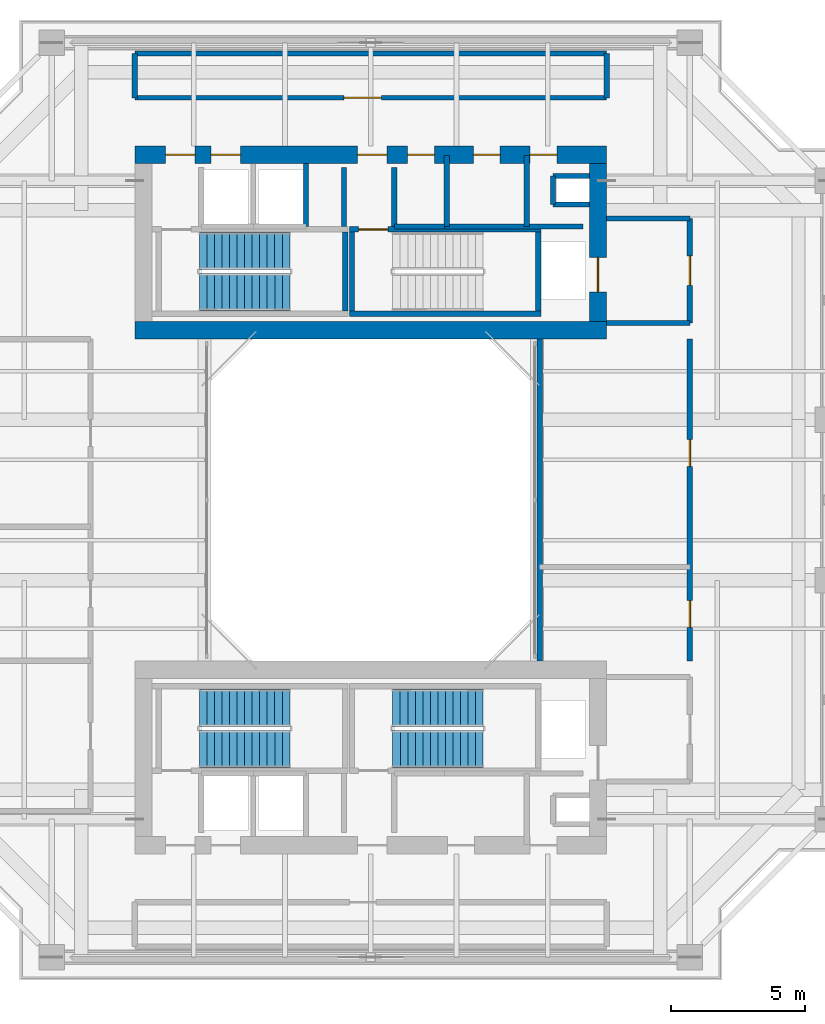
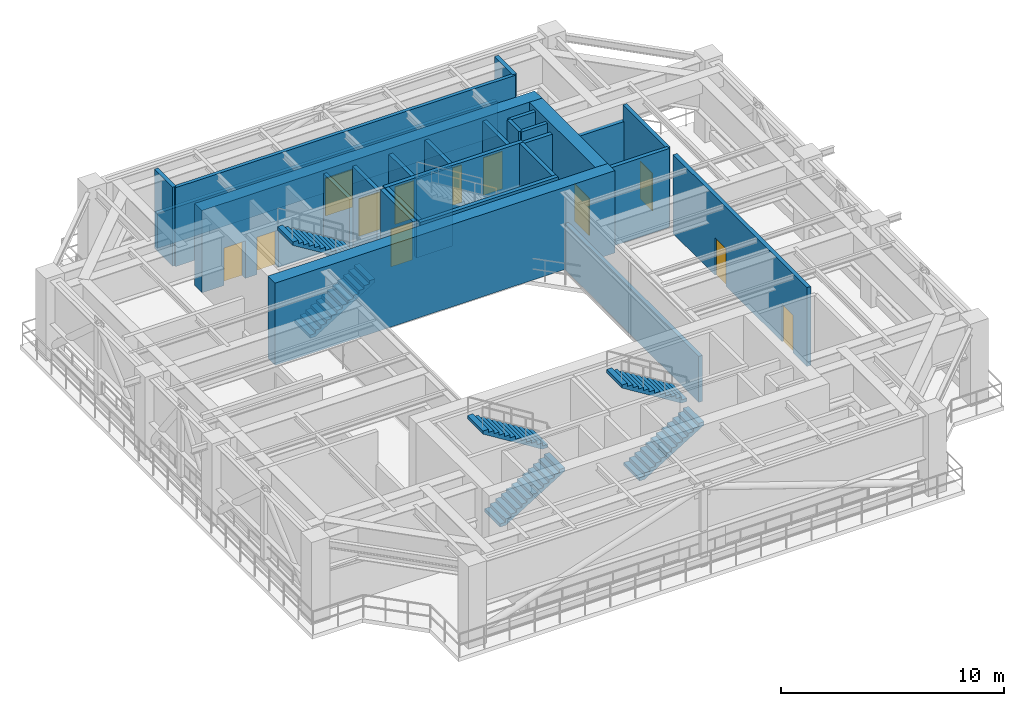
# One storey, part 7 of 11: 27 walls, 12 doors, 6 stair flights, 12 openings, 3 elements without a shape of their own.
"""IFC4 building model written with IfcOpenShell, lengths in metres."""

from ifc_helpers import new_model, si_unit, direction, frame, frame_2d, origin, place, context, subcontext, project, spatial, polyline, rectangle, outline, extrude, source, transform, mapped, material, layer, layer_set, type_object, element, fill, aggregate, save


model = new_model("IFC4")

# Units and contexts
model_context = context("Model", 3, precision=1e-05, world=origin(), true_north=direction((0.0, 1.0)))
body_context = subcontext(model_context, "Body", "Model", "MODEL_VIEW")
ifc_project = project(units=[si_unit("LENGTHUNIT", "METRE"), si_unit("AREAUNIT", "SQUARE_METRE"), si_unit("VOLUMEUNIT", "CUBIC_METRE"), si_unit("PLANEANGLEUNIT", "RADIAN"), si_unit("MASSUNIT", "GRAM", prefix="KILO"), si_unit("THERMODYNAMICTEMPERATUREUNIT", "KELVIN"), si_unit("POWERUNIT", "WATT")], contexts=[model_context])

# Site, building, storey
site_placement = place(None, origin())
site = spatial("IfcSite", under=ifc_project, at=site_placement, CompositionType="ELEMENT")
building_placement = place(site_placement, origin())
building = spatial("IfcBuilding", under=site, at=building_placement, Name="Qiaomeng Ring Towers", CompositionType="ELEMENT")
storey_placement = place(building_placement, frame((0.0, 0.0, 186.0)))
storey = spatial("IfcBuildingStorey", under=building, at=storey_placement, Name="L54", CompositionType="ELEMENT", Elevation=186.0)

# Walls
ifc_material_1 = material(Name="Autoclaved aerated concrete block", Category="concrete")
ifc_layer_1 = layer(ifc_material_1, 0.199951171875, Name="Autoclaved aerated concrete block")
ifc_layer_set_1 = layer_set([ifc_layer_1], Name="Autoclaved aerated concrete block")
wall_type_1 = type_object("IfcWallType", Name="ARC-WL-PW1", PredefinedType="PARTITIONING", material=ifc_layer_set_1)
wall_1_placement = place(storey_placement, frame((27.800048828125, 29.60009765625, 0.0), z_axis=(0.0, 0.0, 1.0), x_axis=(1.0, 0.0, 0.0)))
element("IfcWall", 1, at=wall_1_placement, inside=storey, type_object=wall_type_1, Name="L54 Interior Wall PW1", PredefinedType="PARTITIONING", context=body_context, shape_type="SweptSolid", body=[
    extrude(rectangle(XDim=3.099853515625, YDim=0.199951171875, at=frame_2d((1.5498046875, 0.0))), origin(), (0.0, 0.0, 1.0), 4.320068359375),
])
wall_2_placement = place(storey_placement, frame((27.800048828125, 33.5, 0.0), z_axis=(0.0, 0.0, 1.0), x_axis=(1.0, 0.0, 0.0)))
element("IfcWall", 2, at=wall_2_placement, inside=storey, type_object=wall_type_1, Name="L54 Interior Wall PW1", PredefinedType="PARTITIONING", context=body_context, shape_type="SweptSolid", body=[
    extrude(rectangle(XDim=3.099853515625, YDim=0.199951171875, at=frame_2d((1.5498046875, 0.0))), origin(), (0.0, 0.0, 1.0), 3.465087890625),
])

# Wall, opening, door
wall_3_placement = place(storey_placement, frame((30.89990234375, 29.60009765625, 0.0), z_axis=(0.0, 0.0, 1.0), x_axis=(0.0, 1.0, 0.0)))
wall_3 = element("IfcWall", 3, at=wall_3_placement, inside=storey, type_object=wall_type_1, Name="L54 Interior Wall PW1", PredefinedType="PARTITIONING", context=body_context, shape_type="SweptSolid", body=[
    extrude(rectangle(XDim=3.89990234375, YDim=0.199951171875, at=frame_2d((1.949951171875, 0.0))), origin(), (0.0, 0.0, 1.0), 4.320068359375),
])
opening_1_placement = place(wall_3_placement, frame((1.39990234375, 0.0, 0.0)))
opening_1 = element("IfcOpeningElement", 4, at=opening_1_placement, cuts=wall_3, Name="Opening FD3", PredefinedType="OPENING", context=body_context, shape_type="SweptSolid", body=[
    extrude(rectangle(XDim=1.10009765625, YDim=2.050048828125, at=frame_2d((0.550048828125, 1.02490234375))), frame((0.0, 0.10986328125, 0.0), z_axis=(0.0, -1.0, 0.0), x_axis=(1.0, 0.0, 0.0)), (0.0, 0.0, 1.0), 0.219970703125),
])
ifc_material_2 = material(Name="Galvanised steel", Category="steel")
door_type_1 = type_object("IfcDoorType", Name="ARC-DR-FD3", OperationType="NOTDEFINED", PredefinedType="DOOR", material=ifc_material_2)
shared_shape_1 = source(origin(), body_context, "Body", "SweptSolid", [
    extrude(rectangle(XDim=1.10009765625, YDim=2.050048828125, at=frame_2d((0.550048828125, 1.02490234375))), frame((0.0, 0.02490234375, 0.0), z_axis=(0.0, -1.0, 0.0), x_axis=(1.0, 0.0, 0.0)), (0.0, 0.0, 1.0), 0.050048828125),
])
door_1_placement = place(opening_1_placement, origin())
door_1 = element("IfcDoor", 5, at=door_1_placement, inside=storey, type_object=door_type_1, Name="L54 North FF Lobby Door", OperationType="SINGLE_SWING_LEFT", OverallHeight=2.050048828125, OverallWidth=1.10009765625, PredefinedType="DOOR", context=body_context, shape_type="MappedRepresentation", body=[
    mapped(shared_shape_1, transform((0.0, 0.0, 0.0), x_axis=(1.0, 0.0, 0.0), y_axis=(0.0, 1.0, 0.0), z_axis=(0.0, 0.0, 1.0), scale=1.0)),
])
fill(opening_1, door_1)

# Walls
for number, where, z_axis, x_axis, name in (
    (6, (18.0, 33.18994140625, 0.0), (0.0, 0.0, 1.0), (0.0, 1.0, 0.0), "L54 Interior Wall PW1"),
    (7, (19.8798828125, 33.18994140625, 0.0), (0.0, 0.0, 1.0), (0.0, 1.0, 0.0), "L54 Interior Wall PW1"),
):
    element("IfcWall", number, at=place(storey_placement, frame(where, z_axis=z_axis, x_axis=x_axis)), inside=storey, type_object=wall_type_1, Name=name, PredefinedType="PARTITIONING", context=body_context, shape_type="SweptSolid", body=[
        extrude(rectangle(XDim=2.2099609375, YDim=0.199951171875, at=frame_2d((1.10498046875, 0.0))), origin(), (0.0, 0.0, 1.0), 4.320068359375),
    ])
wall_4_placement = place(storey_placement, frame((24.820068359375, 33.199951171875, 0.0), z_axis=(0.0, 0.0, 1.0), x_axis=(0.0, 1.0, 0.0)))
element("IfcWall", 8, at=wall_4_placement, inside=storey, type_object=wall_type_1, Name="L54 Interior Wall PW1", PredefinedType="PARTITIONING", context=body_context, shape_type="SweptSolid", body=[
    extrude(rectangle(XDim=2.650146484375, YDim=0.199951171875, at=frame_2d((1.3251953125, 0.0))), origin(), (0.0, 0.0, 1.0), 4.320068359375),
])
wall_5_placement = place(storey_placement, frame((19.8798828125, 33.199951171875, 0.0), z_axis=(0.0, 0.0, 1.0), x_axis=(1.0, 0.0, 0.0)))
element("IfcWall", 9, at=wall_5_placement, inside=storey, type_object=wall_type_1, Name="L54 Interior Wall PW1", PredefinedType="PARTITIONING", context=body_context, shape_type="SweptSolid", body=[
    extrude(rectangle(XDim=1.8701171875, YDim=0.199951171875, at=frame_2d((0.93505859375, 0.0))), origin(), (0.0, 0.0, 1.0), 4.320068359375),
])
wall_6_placement = place(storey_placement, frame((21.830078125, 33.199951171875, 0.0), z_axis=(0.0, 0.0, 1.0), x_axis=(0.0, 1.0, 0.0)))
element("IfcWall", 10, at=wall_6_placement, inside=storey, type_object=wall_type_1, Name="L54 Interior Wall PW1", PredefinedType="PARTITIONING", context=body_context, shape_type="SweptSolid", body=[
    extrude(rectangle(XDim=2.650146484375, YDim=0.199951171875, at=frame_2d((1.3251953125, 0.0))), origin(), (0.0, 0.0, 1.0), 4.320068359375),
])
wall_7_placement = place(storey_placement, frame((21.75, 33.199951171875, 0.0), z_axis=(0.0, 0.0, 1.0), x_axis=(1.0, 0.0, 0.0)))
element("IfcWall", 11, at=wall_7_placement, inside=storey, type_object=wall_type_1, Name="L54 Interior Wall PW1", PredefinedType="PARTITIONING", context=body_context, shape_type="SweptSolid", body=[
    extrude(rectangle(XDim=5.169921875, YDim=0.199951171875, at=frame_2d((2.5849609375, 0.0))), origin(), (0.0, 0.0, 1.0), 4.320068359375),
])
for number, where, z_axis, x_axis, name in (
    (12, (10.199951171875, 38.0, 0.0), (0.0, 0.0, 1.0), (0.0, 1.0, 0.0), "L54 Interior Wall PW1"),
    (13, (27.800048828125, 38.0, 0.0), (0.0, 0.0, 1.0), (0.0, 1.0, 0.0), "L54 Interior Wall PW1"),
):
    element("IfcWall", number, at=place(storey_placement, frame(where, z_axis=z_axis, x_axis=x_axis)), inside=storey, type_object=wall_type_1, Name=name, PredefinedType="PARTITIONING", context=body_context, shape_type="SweptSolid", body=[
        extrude(rectangle(XDim=1.64990234375, YDim=0.199951171875, at=frame_2d((0.824951171875, 0.0))), origin(), (0.0, 0.0, 1.0), 4.320068359375),
    ])
wall_8_placement = place(storey_placement, frame((10.199951171875, 39.64990234375, 0.0), z_axis=(0.0, 0.0, 1.0), x_axis=(1.0, 0.0, 0.0)))
element("IfcWall", 14, at=wall_8_placement, inside=storey, type_object=wall_type_1, Name="L54 Interior Wall PW1", PredefinedType="PARTITIONING", context=body_context, shape_type="SweptSolid", body=[
    extrude(rectangle(XDim=17.60009765625, YDim=0.199951171875, at=frame_2d((8.800048828125, 0.0))), origin(), (0.0, 0.0, 1.0), 1.9150390625),
])
wall_9_placement = place(storey_placement, frame((25.300048828125, 17.0, 0.0), z_axis=(0.0, 0.0, 1.0), x_axis=(0.0, 1.0, 0.0)))
element("IfcWall", 15, at=wall_9_placement, inside=storey, type_object=wall_type_1, Name="L54 Interior Wall PW1", PredefinedType="PARTITIONING", context=body_context, shape_type="SweptSolid", body=[
    extrude(rectangle(XDim=12.0, YDim=0.199951171875, at=frame_2d((6.0, 0.0))), origin(), (0.0, 0.0, 1.0), 2.514892578125),
])

# Wall, openings, doors
wall_10_placement = place(storey_placement, frame((30.89990234375, 17.0, 0.0), z_axis=(0.0, 0.0, 1.0), x_axis=(0.0, 1.0, 0.0)))
wall_10 = element("IfcWall", 16, at=wall_10_placement, inside=storey, type_object=wall_type_1, Name="L54 Interior Wall PW1", PredefinedType="PARTITIONING", context=body_context, shape_type="SweptSolid", body=[
    extrude(rectangle(XDim=12.0, YDim=0.199951171875, at=frame_2d((6.0, 0.0))), origin(), (0.0, 0.0, 1.0), 4.320068359375),
])
opening_2_placement = place(wall_10_placement, frame((1.25, 0.0, 0.0)))
opening_2 = element("IfcOpeningElement", 17, at=opening_2_placement, cuts=wall_10, Name="Opening FD1", PredefinedType="OPENING", context=body_context, shape_type="SweptSolid", body=[
    extrude(rectangle(XDim=1.0, YDim=2.050048828125, at=frame_2d((0.5, 1.02490234375))), frame((0.0, 0.10986328125, 0.0), z_axis=(0.0, -1.0, 0.0), x_axis=(1.0, 0.0, 0.0)), (0.0, 0.0, 1.0), 0.219970703125),
])
opening_3_placement = place(wall_10_placement, frame((7.25, 0.0, 0.0)))
opening_3 = element("IfcOpeningElement", 18, at=opening_3_placement, cuts=wall_10, Name="Opening FD1", PredefinedType="OPENING", context=body_context, shape_type="SweptSolid", body=[
    extrude(rectangle(XDim=1.0, YDim=2.050048828125, at=frame_2d((0.5, 1.02490234375))), frame((0.0, 0.10986328125, 0.0), z_axis=(0.0, -1.0, 0.0), x_axis=(1.0, 0.0, 0.0)), (0.0, 0.0, 1.0), 0.219970703125),
])
door_type_2 = type_object("IfcDoorType", Name="ARC-DR-FD1", OperationType="NOTDEFINED", PredefinedType="DOOR", material=ifc_material_2)
shared_shape_2 = source(origin(), body_context, "Body", "SweptSolid", [
    extrude(rectangle(XDim=1.0, YDim=2.050048828125, at=frame_2d((0.5, 1.02490234375))), frame((0.0, 0.02490234375, 0.0), z_axis=(0.0, -1.0, 0.0), x_axis=(1.0, 0.0, 0.0)), (0.0, 0.0, 1.0), 0.050048828125),
])
door_2_placement = place(opening_2_placement, origin())
door_2 = element("IfcDoor", 19, at=door_2_placement, inside=storey, type_object=door_type_2, Name="L54 Door FD1", OperationType="SINGLE_SWING_LEFT", OverallHeight=2.050048828125, OverallWidth=1.0, PredefinedType="DOOR", context=body_context, shape_type="MappedRepresentation", body=[
    mapped(shared_shape_2, transform((0.0, 0.0, 0.0), x_axis=(1.0, 0.0, 0.0), y_axis=(0.0, 1.0, 0.0), z_axis=(0.0, 0.0, 1.0), scale=1.0)),
])
fill(opening_2, door_2)
door_3_placement = place(opening_3_placement, origin())
door_3 = element("IfcDoor", 20, at=door_3_placement, inside=storey, type_object=door_type_2, Name="L54 Door FD1", OperationType="SINGLE_SWING_RIGHT", OverallHeight=2.050048828125, OverallWidth=1.0, PredefinedType="DOOR", context=body_context, shape_type="MappedRepresentation", body=[
    mapped(shared_shape_2, transform((0.0, 0.0, 0.0), x_axis=(1.0, 0.0, 0.0), y_axis=(0.0, 1.0, 0.0), z_axis=(0.0, 0.0, 1.0), scale=1.0)),
])
fill(opening_3, door_3)

# Wall, opening, door
ifc_layer_2 = layer(ifc_material_1, 0.179931640625, Name="Autoclaved aerated concrete block")
ifc_layer_set_2 = layer_set([ifc_layer_2], Name="Autoclaved aerated concrete block")
wall_type_2 = type_object("IfcWallType", Name="ARC-WL-PW2", PredefinedType="PARTITIONING", material=ifc_layer_set_2)
wall_11_placement = place(storey_placement, frame((10.199951171875, 38.0, 0.0), z_axis=(0.0, 0.0, 1.0), x_axis=(1.0, 0.0, 0.0)))
wall_11 = element("IfcWall", 21, at=wall_11_placement, inside=storey, type_object=wall_type_2, Name="L54 Interior Wall PW2", PredefinedType="PARTITIONING", context=body_context, shape_type="SweptSolid", body=[
    extrude(rectangle(XDim=17.60009765625, YDim=0.179931640625, at=frame_2d((8.800048828125, 0.0))), origin(), (0.0, 0.0, 1.0), 4.320068359375),
])
opening_4_placement = place(wall_11_placement, frame((7.800048828125, 0.0, 0.0)))
opening_4 = element("IfcOpeningElement", 22, at=opening_4_placement, cuts=wall_11, Name="Opening FD5", PredefinedType="OPENING", context=body_context, shape_type="SweptSolid", body=[
    extrude(rectangle(XDim=1.39990234375, YDim=2.050048828125, at=frame_2d((0.699951171875, 1.02490234375))), frame((0.0, 0.099853515625, 0.0), z_axis=(0.0, -1.0, 0.0), x_axis=(1.0, 0.0, 0.0)), (0.0, 0.0, 1.0), 0.199951171875),
])
door_type_3 = type_object("IfcDoorType", Name="ARC-DR-FD5", OperationType="NOTDEFINED", PredefinedType="DOOR", material=ifc_material_2)
shared_shape_3 = source(origin(), body_context, "Body", "SweptSolid", [
    extrude(rectangle(XDim=1.39990234375, YDim=2.050048828125, at=frame_2d((0.699951171875, 1.02490234375))), frame((0.0, 0.02490234375, 0.0), z_axis=(0.0, -1.0, 0.0), x_axis=(1.0, 0.0, 0.0)), (0.0, 0.0, 1.0), 0.050048828125),
])
door_4_placement = place(opening_4_placement, origin())
door_4 = element("IfcDoor", 23, at=door_4_placement, inside=storey, type_object=door_type_3, Name="L54 Sky Lobby Entrance Door", OperationType="SINGLE_SWING_RIGHT", OverallHeight=2.050048828125, OverallWidth=1.39990234375, PredefinedType="DOOR", context=body_context, shape_type="MappedRepresentation", body=[
    mapped(shared_shape_3, transform((0.0, 0.0, 0.0), x_axis=(1.0, 0.0, 0.0), y_axis=(0.0, 1.0, 0.0), z_axis=(0.0, 0.0, 1.0), scale=1.0)),
])
fill(opening_4, door_4)

# Walls
ifc_material_3 = material(Name="Concrete C40", Category="concrete")
ifc_layer_3 = layer(ifc_material_3, 0.199951171875, Name="Concrete C40")
ifc_layer_set_3 = layer_set([ifc_layer_3], Name="Concrete C40")
wall_type_3 = type_object("IfcWallType", Name="STR-WL-STSHAFT", PredefinedType="SHEAR", material=ifc_layer_set_3)
wall_12_placement = place(storey_placement, frame((25.800048828125, 34.02001953125, 0.0), z_axis=(0.0, 0.0, 1.0), x_axis=(0.0, 1.0, 0.0)))
element("IfcWall", 24, at=wall_12_placement, inside=storey, type_object=wall_type_3, Name="L54 Riser RSR1 West Shaft Wall N", PredefinedType="SHEAR", context=body_context, shape_type="SweptSolid", body=[
    extrude(rectangle(XDim=1.06005859375, YDim=0.179931640625, at=frame_2d((0.530029296875, 0.0))), origin(), (0.0, 0.0, 1.0), 4.320068359375),
])
for number, where, z_axis, x_axis, name in (
    (25, (25.800048828125, 35.080078125, 0.0), (0.0, 0.0, 1.0), (1.0, 0.0, 0.0), "L54 Riser RSR1 North Shaft Wall N"),
    (26, (25.800048828125, 34.02001953125, 0.0), (0.0, 0.0, 1.0), (1.0, 0.0, 0.0), "L54 Riser RSR1 South Shaft Wall N"),
):
    element("IfcWall", number, at=place(storey_placement, frame(where, z_axis=z_axis, x_axis=x_axis)), inside=storey, type_object=wall_type_3, Name=name, PredefinedType="SHEAR", context=body_context, shape_type="SweptSolid", body=[
        extrude(rectangle(XDim=1.349853515625, YDim=0.179931640625, at=frame_2d((0.6748046875, 0.0))), origin(), (0.0, 0.0, 1.0), 4.320068359375),
    ])
wall_13_placement = place(storey_placement, frame((16.580078125, 33.199951171875, 0.0), z_axis=(0.0, 0.0, 1.0), x_axis=(0.0, 1.0, 0.0)))
element("IfcWall", 27, at=wall_13_placement, inside=storey, type_object=wall_type_3, Name="L54 Lift LP3 East Shaft Wall", PredefinedType="SHEAR", context=body_context, shape_type="SweptSolid", body=[
    extrude(rectangle(XDim=2.35009765625, YDim=0.179931640625, at=frame_2d((1.175048828125, 0.0))), origin(), (0.0, 0.0, 1.0), 4.320068359375),
])
wall_14_placement = place(storey_placement, frame((18.050048828125, 30.050048828125, 0.0), z_axis=(0.0, 0.0, 1.0), x_axis=(0.0, 1.0, 0.0)))
element("IfcWall", 28, at=wall_14_placement, inside=storey, type_object=wall_type_3, Name="L54 Stair ST1 East Shaft Shear Wall", PredefinedType="SHEAR", context=body_context, shape_type="SweptSolid", body=[
    extrude(rectangle(XDim=2.93994140625, YDim=0.199951171875, at=frame_2d((1.469970703125, 0.0))), origin(), (0.0, 0.0, 1.0), 4.5),
])
wall_15_placement = place(storey_placement, frame((18.199951171875, 29.949951171875, 0.0), z_axis=(0.0, 0.0, 1.0), x_axis=(1.0, 0.0, 0.0)))
element("IfcWall", 29, at=wall_15_placement, inside=storey, type_object=wall_type_3, Name="L54 Stair ST2 South Shaft Shear Wall", PredefinedType="SHEAR", context=body_context, shape_type="SweptSolid", body=[
    extrude(rectangle(XDim=7.150146484375, YDim=0.199951171875, at=frame_2d((3.5751953125, 0.0))), origin(), (0.0, 0.0, 1.0), 4.5),
])

# Wall, opening, door
wall_16_placement = place(storey_placement, frame((18.199951171875, 33.090087890625, 0.0), z_axis=(0.0, 0.0, 1.0), x_axis=(1.0, 0.0, 0.0)))
wall_16 = element("IfcWall", 30, at=wall_16_placement, inside=storey, type_object=wall_type_3, Name="L54 Stair ST2 North Shaft Shear Wall", PredefinedType="SHEAR", context=body_context, shape_type="SweptSolid", body=[
    extrude(rectangle(XDim=7.150146484375, YDim=0.199951171875, at=frame_2d((3.5751953125, 0.0))), origin(), (0.0, 0.0, 1.0), 4.5),
])
opening_5_placement = place(wall_16_placement, frame((0.35009765625, 0.0, 0.0)))
opening_5 = element("IfcOpeningElement", 31, at=opening_5_placement, cuts=wall_16, Name="Opening FD3", PredefinedType="OPENING", context=body_context, shape_type="SweptSolid", body=[
    extrude(rectangle(XDim=1.10009765625, YDim=2.050048828125, at=frame_2d((0.550048828125, 1.02490234375))), frame((0.0, 0.10986328125, 0.0), z_axis=(0.0, -1.0, 0.0), x_axis=(1.0, 0.0, 0.0)), (0.0, 0.0, 1.0), 0.219970703125),
])
door_5_placement = place(opening_5_placement, origin())
door_5 = element("IfcDoor", 32, at=door_5_placement, inside=storey, type_object=door_type_1, Name="L54 Stair ST2 Exit Door", OperationType="SINGLE_SWING_RIGHT", OverallHeight=2.050048828125, OverallWidth=1.10009765625, PredefinedType="DOOR", context=body_context, shape_type="MappedRepresentation", body=[
    mapped(shared_shape_1, transform((0.0, 0.0, 0.0), x_axis=(1.0, 0.0, 0.0), y_axis=(0.0, 1.0, 0.0), z_axis=(0.0, 0.0, 1.0), scale=1.0)),
])
fill(opening_5, door_5)

# Walls
for number, where, z_axis, x_axis, name in (
    (33, (18.300048828125, 30.050048828125, 0.0), (0.0, 0.0, 1.0), (0.0, 1.0, 0.0), "L54 Stair ST2 West Shaft Shear Wall"),
    (34, (25.25, 30.050048828125, 0.0), (0.0, 0.0, 1.0), (0.0, 1.0, 0.0), "L54 Stair ST2 East Shaft Shear Wall"),
):
    element("IfcWall", number, at=place(storey_placement, frame(where, z_axis=z_axis, x_axis=x_axis)), inside=storey, type_object=wall_type_3, Name=name, PredefinedType="SHEAR", context=body_context, shape_type="SweptSolid", body=[
        extrude(rectangle(XDim=2.93994140625, YDim=0.199951171875, at=frame_2d((1.469970703125, 0.0))), origin(), (0.0, 0.0, 1.0), 4.5),
    ])
ifc_material_4 = material(Name="Concrete C50", Category="concrete")
ifc_layer_4 = layer(ifc_material_4, 0.64990234375, Name="Concrete C50")
ifc_layer_set_4 = layer_set([ifc_layer_4], Name="Concrete C50")
wall_type_4 = type_object("IfcWallType", Name="STR-WL-SW2B", PredefinedType="SHEAR", material=ifc_layer_set_4)
wall_17_placement = place(storey_placement, frame((10.199951171875, 29.324951171875, 0.0), z_axis=(0.0, 0.0, 1.0), x_axis=(1.0, 0.0, 0.0)))
element("IfcWall", 35, at=wall_17_placement, inside=storey, type_object=wall_type_4, Name="L54 T1NC south core shear wall", PredefinedType="SHEAR", context=body_context, shape_type="SweptSolid", body=[
    extrude(rectangle(XDim=17.60009765625, YDim=0.64990234375, at=frame_2d((8.800048828125, 0.0))), origin(), (0.0, 0.0, 1.0), 4.5),
])

# Wall, openings, doors
wall_18_placement = place(storey_placement, frame((10.199951171875, 35.875, 0.0), z_axis=(0.0, 0.0, 1.0), x_axis=(1.0, 0.0, 0.0)))
wall_18 = element("IfcWall", 36, at=wall_18_placement, inside=storey, type_object=wall_type_4, Name="L54 T1NC north core shear wall", PredefinedType="SHEAR", context=body_context, shape_type="SweptSolid", body=[
    extrude(rectangle(XDim=17.60009765625, YDim=0.64990234375, at=frame_2d((8.800048828125, 0.0))), origin(), (0.0, 0.0, 1.0), 4.5),
])
opening_6_placement = place(wall_18_placement, frame((1.14990234375, 0.0, 0.0)))
opening_6 = element("IfcOpeningElement", 37, at=opening_6_placement, cuts=wall_18, Name="Opening FD3", PredefinedType="OPENING", context=body_context, shape_type="SweptSolid", body=[
    extrude(rectangle(XDim=1.10009765625, YDim=2.050048828125, at=frame_2d((0.550048828125, 1.02490234375))), frame((0.0, 0.3349609375, 0.0), z_axis=(0.0, -1.0, 0.0), x_axis=(1.0, 0.0, 0.0)), (0.0, 0.0, 1.0), 0.669921875),
])
opening_7_placement = place(wall_18_placement, frame((8.300048828125, 0.0, 0.0)))
opening_7 = element("IfcOpeningElement", 38, at=opening_7_placement, cuts=wall_18, Name="Opening FD3", PredefinedType="OPENING", context=body_context, shape_type="SweptSolid", body=[
    extrude(rectangle(XDim=1.10009765625, YDim=2.050048828125, at=frame_2d((0.550048828125, 1.02490234375))), frame((0.0, 0.3349609375, 0.0), z_axis=(0.0, -1.0, 0.0), x_axis=(1.0, 0.0, 0.0)), (0.0, 0.0, 1.0), 0.669921875),
])
opening_8_placement = place(wall_18_placement, frame((2.85009765625, 0.0, 0.0)))
opening_8 = element("IfcOpeningElement", 39, at=opening_8_placement, cuts=wall_18, Name="Opening LD1", PredefinedType="OPENING", context=body_context, shape_type="SweptSolid", body=[
    extrude(rectangle(XDim=1.10009765625, YDim=2.050048828125, at=frame_2d((0.550048828125, 1.02490234375))), frame((0.0, 0.3349609375, 0.0), z_axis=(0.0, -1.0, 0.0), x_axis=(1.0, 0.0, 0.0)), (0.0, 0.0, 1.0), 0.669921875),
])
opening_9_placement = place(wall_18_placement, frame((14.739990234375, 0.0, 0.0)))
opening_9 = element("IfcOpeningElement", 40, at=opening_9_placement, cuts=wall_18, Name="Opening FD1", PredefinedType="OPENING", context=body_context, shape_type="SweptSolid", body=[
    extrude(rectangle(XDim=1.0, YDim=2.050048828125, at=frame_2d((0.5, 1.02490234375))), frame((0.0, 0.3349609375, 0.0), z_axis=(0.0, -1.0, 0.0), x_axis=(1.0, 0.0, 0.0)), (0.0, 0.0, 1.0), 0.669921875),
])
opening_10_placement = place(wall_18_placement, frame((10.175048828125, 0.0, 0.0)))
opening_10 = element("IfcOpeningElement", 41, at=opening_10_placement, cuts=wall_18, Name="Opening FD1", PredefinedType="OPENING", context=body_context, shape_type="SweptSolid", body=[
    extrude(rectangle(XDim=1.0, YDim=2.050048828125, at=frame_2d((0.5, 1.02490234375))), frame((0.0, 0.3349609375, 0.0), z_axis=(0.0, -1.0, 0.0), x_axis=(1.0, 0.0, 0.0)), (0.0, 0.0, 1.0), 0.669921875),
])
opening_11_placement = place(wall_18_placement, frame((12.625, 0.0, 0.0)))
opening_11 = element("IfcOpeningElement", 42, at=opening_11_placement, cuts=wall_18, Name="Opening FD1", PredefinedType="OPENING", context=body_context, shape_type="SweptSolid", body=[
    extrude(rectangle(XDim=1.0, YDim=2.050048828125, at=frame_2d((0.5, 1.02490234375))), frame((0.0, 0.3349609375, 0.0), z_axis=(0.0, -1.0, 0.0), x_axis=(1.0, 0.0, 0.0)), (0.0, 0.0, 1.0), 0.669921875),
])
door_6_placement = place(opening_6_placement, origin())
door_6 = element("IfcDoor", 43, at=door_6_placement, inside=storey, type_object=door_type_1, Name="L54 Stair ST1 Lobby Door", OperationType="SINGLE_SWING_LEFT", OverallHeight=2.050048828125, OverallWidth=1.10009765625, PredefinedType="DOOR", context=body_context, shape_type="MappedRepresentation", body=[
    mapped(shared_shape_1, transform((0.0, 0.0, 0.0), x_axis=(1.0, 0.0, 0.0), y_axis=(0.0, 1.0, 0.0), z_axis=(0.0, 0.0, 1.0), scale=1.0)),
])
fill(opening_6, door_6)
door_7_placement = place(opening_7_placement, origin())
door_7 = element("IfcDoor", 44, at=door_7_placement, inside=storey, type_object=door_type_1, Name="L54 Stair ST2 Lobby Door", OperationType="SINGLE_SWING_LEFT", OverallHeight=2.050048828125, OverallWidth=1.10009765625, PredefinedType="DOOR", context=body_context, shape_type="MappedRepresentation", body=[
    mapped(shared_shape_1, transform((0.0, 0.0, 0.0), x_axis=(1.0, 0.0, 0.0), y_axis=(0.0, 1.0, 0.0), z_axis=(0.0, 0.0, 1.0), scale=1.0)),
])
fill(opening_7, door_7)
ifc_material_5 = material(Name="Stainless steel 316", Category="steel")
door_type_4 = type_object("IfcDoorType", Name="ARC-DR-LD1", OperationType="NOTDEFINED", PredefinedType="DOOR", material=ifc_material_5)
door_8_placement = place(opening_8_placement, origin())
door_8 = element("IfcDoor", 45, at=door_8_placement, inside=storey, type_object=door_type_4, Name="L54 High-Zone Lift LP5 Landing Door", OperationType="SLIDING_TO_LEFT", OverallHeight=2.050048828125, OverallWidth=1.10009765625, PredefinedType="DOOR", context=body_context, shape_type="MappedRepresentation", body=[
    mapped(shared_shape_1, transform((0.0, 0.0, 0.0), x_axis=(1.0, 0.0, 0.0), y_axis=(0.0, 1.0, 0.0), z_axis=(0.0, 0.0, 1.0), scale=1.0)),
])
fill(opening_8, door_8)
door_9_placement = place(opening_9_placement, origin())
door_9 = element("IfcDoor", 46, at=door_9_placement, inside=storey, type_object=door_type_2, Name="L54 North Electrical Riser Door", OperationType="SINGLE_SWING_LEFT", OverallHeight=2.050048828125, OverallWidth=1.0, PredefinedType="DOOR", context=body_context, shape_type="MappedRepresentation", body=[
    mapped(shared_shape_2, transform((0.0, 0.0, 0.0), x_axis=(1.0, 0.0, 0.0), y_axis=(0.0, 1.0, 0.0), z_axis=(0.0, 0.0, 1.0), scale=1.0)),
])
fill(opening_9, door_9)
door_10_placement = place(opening_10_placement, origin())
door_10 = element("IfcDoor", 47, at=door_10_placement, inside=storey, type_object=door_type_2, Name="L54 Core AHU Plant Room Door", OperationType="SINGLE_SWING_LEFT", OverallHeight=2.050048828125, OverallWidth=1.0, PredefinedType="DOOR", context=body_context, shape_type="MappedRepresentation", body=[
    mapped(shared_shape_2, transform((0.0, 0.0, 0.0), x_axis=(1.0, 0.0, 0.0), y_axis=(0.0, 1.0, 0.0), z_axis=(0.0, 0.0, 1.0), scale=1.0)),
])
fill(opening_10, door_10)
door_11_placement = place(opening_11_placement, origin())
door_11 = element("IfcDoor", 48, at=door_11_placement, inside=storey, type_object=door_type_2, Name="L54 Electrical Switchgear Room Door", OperationType="SINGLE_SWING_RIGHT", OverallHeight=2.050048828125, OverallWidth=1.0, PredefinedType="DOOR", context=body_context, shape_type="MappedRepresentation", body=[
    mapped(shared_shape_2, transform((0.0, 0.0, 0.0), x_axis=(1.0, 0.0, 0.0), y_axis=(0.0, 1.0, 0.0), z_axis=(0.0, 0.0, 1.0), scale=1.0)),
])
fill(opening_11, door_11)

# Wall, opening, door
wall_19_placement = place(storey_placement, frame((27.47509765625, 29.64990234375, 0.0), z_axis=(0.0, 0.0, 1.0), x_axis=(0.0, 1.0, 0.0)))
wall_19 = element("IfcWall", 49, at=wall_19_placement, inside=storey, type_object=wall_type_4, Name="L54 T1NC east core shear wall", PredefinedType="SHEAR", context=body_context, shape_type="SweptSolid", body=[
    extrude(rectangle(XDim=5.900146484375, YDim=0.64990234375, at=frame_2d((2.9501953125, 0.0))), origin(), (0.0, 0.0, 1.0), 4.5),
])
opening_12_placement = place(wall_19_placement, frame((1.10009765625, 0.0, 0.0)))
opening_12 = element("IfcOpeningElement", 50, at=opening_12_placement, cuts=wall_19, Name="Opening LD2", PredefinedType="OPENING", context=body_context, shape_type="SweptSolid", body=[
    extrude(rectangle(XDim=1.300048828125, YDim=2.050048828125, at=frame_2d((0.64990234375, 1.02490234375))), frame((0.0, 0.3349609375, 0.0), z_axis=(0.0, -1.0, 0.0), x_axis=(1.0, 0.0, 0.0)), (0.0, 0.0, 1.0), 0.669921875),
])
door_type_5 = type_object("IfcDoorType", Name="ARC-DR-LD2", OperationType="NOTDEFINED", PredefinedType="DOOR", material=ifc_material_5)
shared_shape_4 = source(origin(), body_context, "Body", "SweptSolid", [
    extrude(rectangle(XDim=1.300048828125, YDim=2.050048828125, at=frame_2d((0.64990234375, 1.02490234375))), frame((0.0, 0.02490234375, 0.0), z_axis=(0.0, -1.0, 0.0), x_axis=(1.0, 0.0, 0.0)), (0.0, 0.0, 1.0), 0.050048828125),
])
door_12_placement = place(opening_12_placement, origin())
door_12 = element("IfcDoor", 51, at=door_12_placement, inside=storey, type_object=door_type_5, Name="L54 Firefighting Lift FL1 Landing Door", OperationType="SLIDING_TO_LEFT", OverallHeight=2.050048828125, OverallWidth=1.300048828125, PredefinedType="DOOR", context=body_context, shape_type="MappedRepresentation", body=[
    mapped(shared_shape_4, transform((0.0, 0.0, 0.0), x_axis=(1.0, 0.0, 0.0), y_axis=(0.0, 1.0, 0.0), z_axis=(0.0, 0.0, 1.0), scale=1.0)),
])
fill(opening_12, door_12)

# Stair, stair flights
ifc_material_6 = material(Name="Precast concrete C40", Category="concrete")
stair_type = type_object("IfcStairType", Name="ARC-ST-450", PredefinedType="HALF_TURN_STAIR", material=ifc_material_6)
stair_1_placement = place(storey_placement, origin())
stair_1 = element("IfcStair", 52, at=stair_1_placement, inside=storey, type_object=stair_type, Name="L54 Tower 1 North Stair 1", PredefinedType="HALF_TURN_STAIR")
stair_flight_type = type_object("IfcStairFlightType", Name="ARC-ST-450-FL", PredefinedType="STRAIGHT", material=ifc_material_6)
shared_shape_5 = source(origin(), body_context, "Body", "SweptSolid", [
    extrude(outline(polyline([(0.0, 0.0), (0.0, 0.173095703125), (0.280029296875, 0.173095703125), (0.280029296875, 0.34619140625), (0.56005859375, 0.34619140625), (0.56005859375, 0.519287109375), (0.840087890625, 0.519287109375), (0.840087890625, 0.6923828125), (1.1201171875, 0.6923828125), (1.1201171875, 0.865478515625), (1.39990234375, 0.865478515625), (1.39990234375, 1.03857421875), (1.679931640625, 1.03857421875), (1.679931640625, 1.21142578125), (1.9599609375, 1.21142578125), (1.9599609375, 1.384521484375), (2.239990234375, 1.384521484375), (2.239990234375, 1.5576171875), (2.52001953125, 1.5576171875), (2.52001953125, 1.730712890625), (2.800048828125, 1.730712890625), (2.800048828125, 1.90380859375), (3.080078125, 1.90380859375), (3.080078125, 2.076904296875), (3.360107421875, 2.076904296875), (3.360107421875, 2.25), (3.360107421875, 1.900634765625), (0.28515625, 0.0), (0.0, 0.0)])), frame((0.0, 0.699951171875, 0.0), z_axis=(0.0, -1.0, 0.0), x_axis=(1.0, 0.0, 0.0)), (0.0, 0.0, 1.0), 1.39990234375),
])
stair_flight_1_placement = place(storey_placement, frame((12.6201171875, 30.75, 0.0), z_axis=(0.0, 0.0, 1.0), x_axis=(1.0, 0.0, 0.0)))
stair_flight_1 = element("IfcStairFlight", 53, at=stair_flight_1_placement, type_object=stair_flight_type, Name="ST1 flight 1", NumberOfRisers=13, NumberOfTreads=12, PredefinedType="STRAIGHT", RiserHeight=0.173076923, TreadLength=0.28, context=body_context, shape_type="MappedRepresentation", body=[
    mapped(shared_shape_5, transform((0.0, 0.0, 0.0), x_axis=(1.0, 0.0, 0.0), y_axis=(0.0, 1.0, 0.0), z_axis=(0.0, 0.0, 1.0), scale=1.0)),
])
stair_flight_2_placement = place(storey_placement, frame((15.97998046875, 32.2900390625, 2.25), z_axis=(0.0, 0.0, 1.0), x_axis=(-1.0, 0.0, 0.0)))
stair_flight_2 = element("IfcStairFlight", 54, at=stair_flight_2_placement, type_object=stair_flight_type, Name="ST1 flight 2", NumberOfRisers=13, NumberOfTreads=12, PredefinedType="STRAIGHT", RiserHeight=0.173076923, TreadLength=0.28, context=body_context, shape_type="MappedRepresentation", body=[
    mapped(shared_shape_5, transform((0.0, 0.0, 0.0), x_axis=(1.0, 0.0, 0.0), y_axis=(0.0, 1.0, 0.0), z_axis=(0.0, 0.0, 1.0), scale=1.0)),
])
aggregate(stair_1, [stair_flight_1, stair_flight_2])

stair_2_placement = place(storey_placement, origin())
stair_2 = element("IfcStair", 55, at=stair_2_placement, inside=storey, type_object=stair_type, Name="L54 Tower 1 South Stair 3", PredefinedType="HALF_TURN_STAIR")
stair_flight_3_placement = place(storey_placement, frame((12.6201171875, 13.7099609375, 0.0), z_axis=(0.0, 0.0, 1.0), x_axis=(1.0, 0.0, 0.0)))
stair_flight_3 = element("IfcStairFlight", 56, at=stair_flight_3_placement, type_object=stair_flight_type, Name="ST3 flight 1", NumberOfRisers=13, NumberOfTreads=12, PredefinedType="STRAIGHT", RiserHeight=0.173076923, TreadLength=0.28, context=body_context, shape_type="MappedRepresentation", body=[
    mapped(shared_shape_5, transform((0.0, 0.0, 0.0), x_axis=(1.0, 0.0, 0.0), y_axis=(0.0, 1.0, 0.0), z_axis=(0.0, 0.0, 1.0), scale=1.0)),
])
stair_flight_4_placement = place(storey_placement, frame((15.97998046875, 15.25, 2.25), z_axis=(0.0, 0.0, 1.0), x_axis=(-1.0, 0.0, 0.0)))
stair_flight_4 = element("IfcStairFlight", 57, at=stair_flight_4_placement, type_object=stair_flight_type, Name="ST3 flight 2", NumberOfRisers=13, NumberOfTreads=12, PredefinedType="STRAIGHT", RiserHeight=0.173076923, TreadLength=0.28, context=body_context, shape_type="MappedRepresentation", body=[
    mapped(shared_shape_5, transform((0.0, 0.0, 0.0), x_axis=(1.0, 0.0, 0.0), y_axis=(0.0, 1.0, 0.0), z_axis=(0.0, 0.0, 1.0), scale=1.0)),
])
aggregate(stair_2, [stair_flight_3, stair_flight_4])

stair_3_placement = place(storey_placement, origin())
stair_3 = element("IfcStair", 58, at=stair_3_placement, inside=storey, type_object=stair_type, Name="L54 Tower 1 South Stair 4", PredefinedType="HALF_TURN_STAIR")
stair_flight_5_placement = place(storey_placement, frame((19.820068359375, 13.7099609375, 0.0), z_axis=(0.0, 0.0, 1.0), x_axis=(1.0, 0.0, 0.0)))
stair_flight_5 = element("IfcStairFlight", 59, at=stair_flight_5_placement, type_object=stair_flight_type, Name="ST4 flight 1", NumberOfRisers=13, NumberOfTreads=12, PredefinedType="STRAIGHT", RiserHeight=0.173076923, TreadLength=0.28, context=body_context, shape_type="MappedRepresentation", body=[
    mapped(shared_shape_5, transform((0.0, 0.0, 0.0), x_axis=(1.0, 0.0, 0.0), y_axis=(0.0, 1.0, 0.0), z_axis=(0.0, 0.0, 1.0), scale=1.0)),
])
stair_flight_6_placement = place(storey_placement, frame((23.179931640625, 15.25, 2.25), z_axis=(0.0, 0.0, 1.0), x_axis=(-1.0, 0.0, 0.0)))
stair_flight_6 = element("IfcStairFlight", 60, at=stair_flight_6_placement, type_object=stair_flight_type, Name="ST4 flight 2", NumberOfRisers=13, NumberOfTreads=12, PredefinedType="STRAIGHT", RiserHeight=0.173076923, TreadLength=0.28, context=body_context, shape_type="MappedRepresentation", body=[
    mapped(shared_shape_5, transform((0.0, 0.0, 0.0), x_axis=(1.0, 0.0, 0.0), y_axis=(0.0, 1.0, 0.0), z_axis=(0.0, 0.0, 1.0), scale=1.0)),
])
aggregate(stair_3, [stair_flight_5, stair_flight_6])

save(model, "model.ifc")
